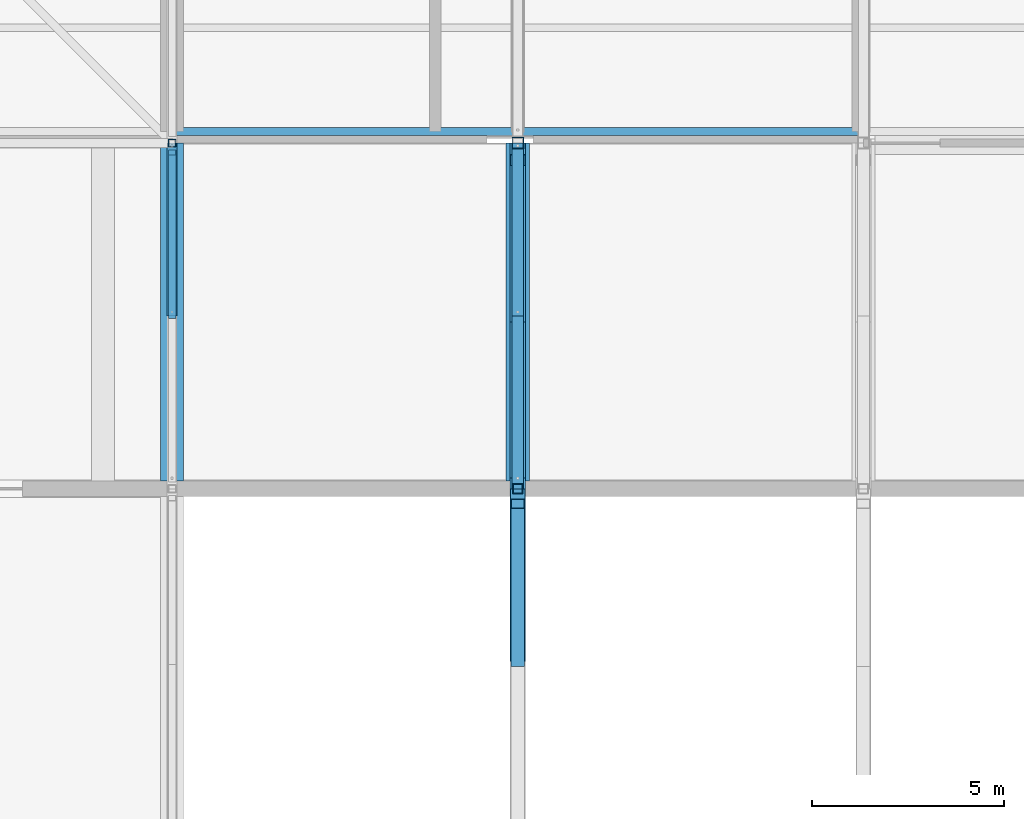
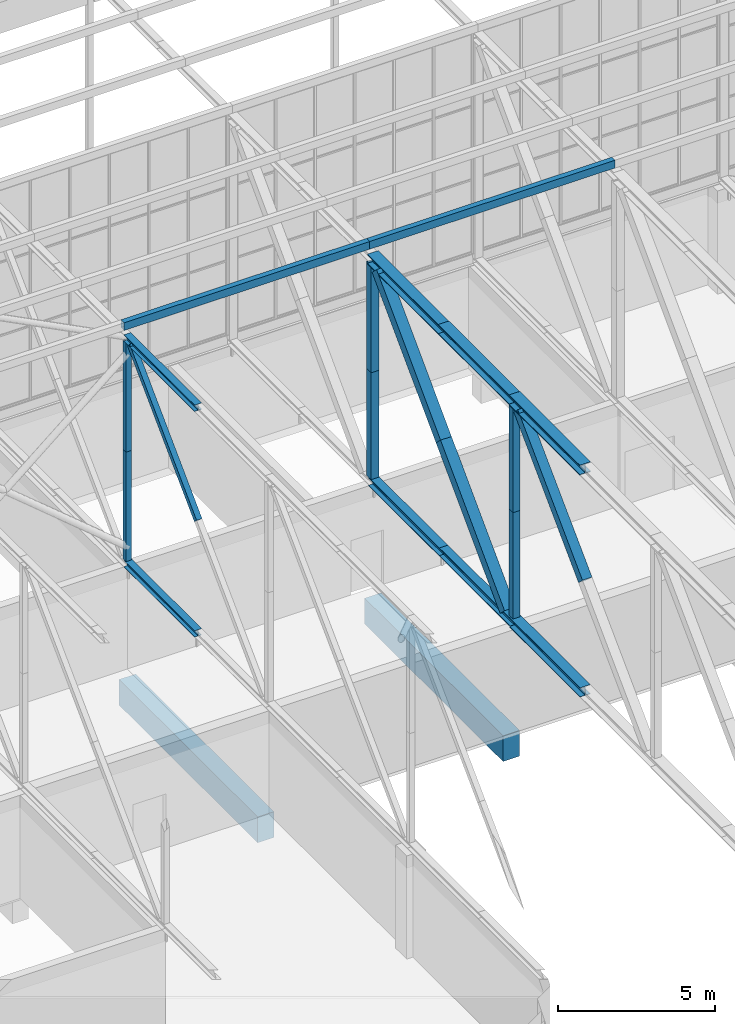
# One storey, part 68 of 646: 20 members, 2 beams.
"""IFC4 building model written with IfcOpenShell, lengths in metres."""

import ifcopenshell
import ifcopenshell.guid

model = None  # the IFC model being written
_history = None  # IfcOwnerHistory: only IFC2X3 demands one
_inside = {}  # id of a spatial element -> (the spatial element, [elements in it])
_under = {}  # id of a project, library or spatial element -> (it, [spatial elements below it])
_declared = {}  # id of a project -> (the project, [libraries it declares])
_typed = {}  # id of a type object -> (the type object, [elements of that type])
_made_of = {}  # id of a material, layer set ... -> (it, [elements and type objects made of it])


def new_model(schema):
    """Start an empty IFC model of exactly this schema.

    Asked for "IFC4X3", IfcOpenShell would pick the latest addendum, in which some entities
    have other attributes; the version numbers below select the first issue.
    IFC2X3 requires an IfcOwnerHistory on every rooted entity: one is made here for all.
    """
    global model, _history
    if schema == "IFC4X3":
        model = ifcopenshell.file(schema_version=(4, 3, 0, 0))
    else:
        model = ifcopenshell.file(schema=schema)
    _inside.clear()
    _under.clear()
    _declared.clear()
    _typed.clear()
    _made_of.clear()
    _history = None
    if model.schema == "IFC2X3":
        org = make("IfcOrganization", Name="unknown")
        user = make(
            "IfcPersonAndOrganization",
            ThePerson=make("IfcPerson", FamilyName="unknown"),
            TheOrganization=org,
        )
        app = make(
            "IfcApplication",
            ApplicationDeveloper=org,
            Version="unknown",
            ApplicationFullName="unknown",
            ApplicationIdentifier="unknown",
        )
        _history = make(
            "IfcOwnerHistory",
            OwningUser=user,
            OwningApplication=app,
            ChangeAction="ADDED",
            CreationDate=0,
        )
    return model


def make(cls, **values):
    """One entity of the class cls with the attributes given. An attribute that is None is left unset."""
    return model.create_entity(
        cls, **{name: value for name, value in values.items() if value is not None}
    )


def rooted(cls, **values):
    """An entity with a GlobalId (a new one), such as an element, a storey or a relation."""
    return make(cls, GlobalId=ifcopenshell.guid.new(), OwnerHistory=_history, **values)


def si_unit(unit_type, name, prefix=None):
    """IfcSIUnit, for example si_unit("LENGTHUNIT", "METRE", prefix="MILLI")."""
    return make("IfcSIUnit", UnitType=unit_type, Prefix=prefix, Name=name)


def assignment(units):
    """IfcUnitAssignment: the units of a project."""
    return None if units is None else make("IfcUnitAssignment", Units=units)


def point(xyz):
    """IfcCartesianPoint."""
    return None if xyz is None else make("IfcCartesianPoint", Coordinates=xyz)


def direction(xyz):
    """IfcDirection."""
    return None if xyz is None else make("IfcDirection", DirectionRatios=xyz)


def frame(location, z_axis=None, x_axis=None):
    """IfcAxis2Placement3D, a coordinate frame: its origin and axes. An axis left out is left unset."""
    return make(
        "IfcAxis2Placement3D",
        Location=point(location),
        Axis=direction(z_axis),
        RefDirection=direction(x_axis),
    )


def frame_2d(location, x_axis=None):
    """IfcAxis2Placement2D, a coordinate frame in the plane: its origin and x axis."""
    return make(
        "IfcAxis2Placement2D", Location=point(location), RefDirection=direction(x_axis)
    )


def origin():
    """The frame at (0, 0, 0) with its axes left unset."""
    return frame((0.0, 0.0, 0.0))


def origin_2d():
    """The frame at (0, 0) in the plane with its x axis left unset."""
    return frame_2d((0.0, 0.0))


def place(relative_to, where):
    """IfcLocalPlacement: puts the frame where relative to a parent placement (None: the world)."""
    return make(
        "IfcLocalPlacement", PlacementRelTo=relative_to, RelativePlacement=where
    )


def context(
    kind, dimensions, precision=None, world=None, true_north=None, identifier=None
):
    """IfcGeometricRepresentationContext, for example the 3D "Model" context."""
    return make(
        "IfcGeometricRepresentationContext",
        ContextIdentifier=identifier,
        ContextType=kind,
        CoordinateSpaceDimension=dimensions,
        Precision=precision,
        WorldCoordinateSystem=world,
        TrueNorth=true_north,
    )


def subcontext(parent, identifier, kind, view, scale=None):
    """IfcGeometricRepresentationSubContext, for example "Body" below "Model"."""
    return make(
        "IfcGeometricRepresentationSubContext",
        ContextIdentifier=identifier,
        ContextType=kind,
        ParentContext=parent,
        TargetScale=scale,
        TargetView=view,
    )


def project(units=None, contexts=None):
    """IfcProject with its units and contexts."""
    return rooted(
        "IfcProject",
        Name="project",
        RepresentationContexts=contexts,
        UnitsInContext=assignment(units),
    )


def spatial(cls, under=None, at=None, **own):
    """A site, building, storey or space (cls), placed at a placement, below another one or the project."""
    s = rooted(cls, ObjectPlacement=at, **own)
    if under is not None:
        _under.setdefault(under.id(), (under, []))[1].append(s)
    return s


def profile(cls, at=None, kind="AREA", **sizes):
    """A parametric profile (cls). Its sizes go by their IFC names, for example OverallWidth=200.0."""
    return make(cls, ProfileType=kind, Position=at, **sizes)


def rectangle(**sizes):
    """IfcRectangleProfileDef."""
    return profile("IfcRectangleProfileDef", **sizes)


def hollow_rectangle(**sizes):
    """IfcRectangleHollowProfileDef."""
    return profile("IfcRectangleHollowProfileDef", **sizes)


def i_section(**sizes):
    """IfcIShapeProfileDef."""
    return profile("IfcIShapeProfileDef", **sizes)


def extrude(swept, where, along, depth):
    """IfcExtrudedAreaSolid: the profile swept, set in the frame where, extruded along a direction by depth."""
    return make(
        "IfcExtrudedAreaSolid",
        SweptArea=swept,
        Position=where,
        ExtrudedDirection=direction(along),
        Depth=depth,
    )


def shape(context_of_items, identifier, shape_type, items):
    """IfcShapeRepresentation: the items that make up one representation, for example the "Body"."""
    return make(
        "IfcShapeRepresentation",
        ContextOfItems=context_of_items,
        RepresentationIdentifier=identifier,
        RepresentationType=shape_type,
        Items=items,
    )


def material(Name=None, Category=None):
    """IfcMaterial."""
    return make("IfcMaterial", Name=Name, Category=Category)


def material_profile(
    of_material, cross_section, Name=None, Category=None, Priority=None
):
    """IfcMaterialProfile: a cross section and its material."""
    return make(
        "IfcMaterialProfile",
        Name=Name,
        Material=of_material,
        Profile=cross_section,
        Priority=Priority,
        Category=Category,
    )


def profile_set(profiles, Name=None, composite=None):
    """IfcMaterialProfileSet."""
    return make(
        "IfcMaterialProfileSet",
        Name=Name,
        MaterialProfiles=profiles,
        CompositeProfile=composite,
    )


def made_of(thing, what):
    """Note that an element or type object is made of a material, layer set ...; save() writes the relation."""
    if what is not None:
        _made_of.setdefault(what.id(), (what, []))[1].append(thing)
    return thing


def type_object(cls, material=None, **own):
    """A type object (cls), such as IfcWallType, which elements share."""
    return made_of(rooted(cls, **own), material)


def element(
    cls,
    number,
    at=None,
    inside=None,
    cuts=None,
    type_object=None,
    material=None,
    context=None,
    identifier="Body",
    shape_type=None,
    held_by="IfcProductDefinitionShape",
    body=None,
    shapes=None,
    **own,
):
    """One element of the class cls, such as IfcWall. Its Tag is "e" and its number.

    at: its placement. inside: the storey or other place that contains it. cuts: it is an
    opening in that element (IfcRelVoidsElement). A single representation is given by context,
    identifier, shape_type and body (its items); several are given by shapes. held_by: the class
    of the entity that holds the representations. save() writes the other relations.
    """
    e = rooted(cls, Tag="e%d" % number, ObjectPlacement=at, **own)
    if body is not None:
        shapes = [shape(context, identifier, shape_type, body)]
    if shapes is not None:
        e.Representation = make(held_by, Representations=shapes)
    if inside is not None:
        _inside.setdefault(inside.id(), (inside, []))[1].append(e)
    if cuts is not None:
        rooted(
            "IfcRelVoidsElement", RelatingBuildingElement=cuts, RelatedOpeningElement=e
        )
    if type_object is not None:
        _typed.setdefault(type_object.id(), (type_object, []))[1].append(e)
    return made_of(e, material)


def aggregate(whole, parts):
    """IfcRelAggregates: a whole, such as a stair, and the parts it consists of."""
    return rooted("IfcRelAggregates", RelatingObject=whole, RelatedObjects=parts)


def save(model, path):
    """Write the relations noted so far, then the file.

    IfcRelAggregates (storeys below a building ...), IfcRelContainedInSpatialStructure (elements
    in a storey), IfcRelDefinesByType, IfcRelAssociatesMaterial and IfcRelDeclares: one each for
    every whole, place, type object, material and project.
    """
    for whole, parts in _under.values():
        aggregate(whole, parts)
    for where, things in _inside.values():
        rooted(
            "IfcRelContainedInSpatialStructure",
            RelatedElements=things,
            RelatingStructure=where,
        )
    for kind, things in _typed.values():
        rooted("IfcRelDefinesByType", RelatedObjects=things, RelatingType=kind)
    for what, things in _made_of.values():
        rooted("IfcRelAssociatesMaterial", RelatedObjects=things, RelatingMaterial=what)
    for by, libraries in _declared.values():
        rooted("IfcRelDeclares", RelatingContext=by, RelatedDefinitions=libraries)
    model.write(path)


model = new_model("IFC4")

# Units and contexts
model_context = context("Model", 3, precision=1e-05, world=origin(), true_north=direction((0.0, 1.0)))
body_context = subcontext(model_context, "Body", "Model", "MODEL_VIEW")
ifc_project = project(units=[si_unit("LENGTHUNIT", "METRE"), si_unit("AREAUNIT", "SQUARE_METRE"), si_unit("VOLUMEUNIT", "CUBIC_METRE"), si_unit("PLANEANGLEUNIT", "RADIAN"), si_unit("MASSUNIT", "GRAM", prefix="KILO")], contexts=[model_context])

# Site, building, storey
site_placement = place(None, origin())
site = spatial("IfcSite", under=ifc_project, at=site_placement, CompositionType="ELEMENT")
building_placement = place(site_placement, origin())
building = spatial("IfcBuilding", under=site, at=building_placement, Name="Silverbay Arena", CompositionType="ELEMENT")
storey_placement = place(building_placement, frame((0.0, 0.0, 33.5)))
storey = spatial("IfcBuildingStorey", under=building, at=storey_placement, Name="L05", CompositionType="ELEMENT", Elevation=33.5)

# Members
ifc_material_1 = material(Name="Steel S355", Category="steel")
ifc_material_profile_1 = material_profile(ifc_material_1, i_section(OverallWidth=0.311279296875, OverallDepth=0.3271484375, WebThickness=0.015869140625, FlangeThickness=0.02490234375, at=origin_2d()), Name="UC 305x305x158")
ifc_profile_set_1 = profile_set([ifc_material_profile_1], Name="Steel S355")
member_type_1 = type_object("IfcMemberType", Name="Main-span bottom chord UC 305x305x158", PredefinedType="CHORD", material=ifc_profile_set_1)
for number, where, z_axis, x_axis, name in (
    (1, (108.0, 126.0, 4.16357421875), (0.0, 1.0, 0.0), (-1.0, 0.0, 0.0), "ROOF TRUSS 13 bottom chord 14a"),
    (2, (108.0, 130.5, 4.16357421875), (0.0, 1.0, 0.0), (-1.0, 0.0, 0.0), "ROOF TRUSS 13 bottom chord 14b"),
):
    element("IfcMember", number, at=place(storey_placement, frame(where, z_axis=z_axis, x_axis=x_axis)), inside=storey, type_object=member_type_1, Name=name, PredefinedType="CHORD", context=body_context, shape_type="SweptSolid", body=[
        extrude(i_section(OverallWidth=0.311279296875, OverallDepth=0.3271484375, WebThickness=0.015869140625, FlangeThickness=0.02490234375, at=origin_2d()), origin(), (0.0, 0.0, 1.0), 4.5),
    ])
ifc_material_2 = material(Name="Steel S355", Category="steel")
ifc_material_profile_2 = material_profile(ifc_material_2, i_section(OverallWidth=0.37255859375, OverallDepth=0.3681640625, WebThickness=0.014404296875, FlangeThickness=0.023681640625, at=origin_2d()), Name="UC 356x368x177")
ifc_profile_set_2 = profile_set([ifc_material_profile_2], Name="Steel S355")
member_type_2 = type_object("IfcMemberType", Name="Main-span bottom chord UC 356x368x177", PredefinedType="CHORD", material=ifc_profile_set_2)
member_1_placement = place(storey_placement, frame((108.0, 121.5, 4.18408203125), z_axis=(0.0, 1.0, 0.0), x_axis=(-1.0, 0.0, 0.0)))
element("IfcMember", 3, at=member_1_placement, inside=storey, type_object=member_type_2, Name="ROOF TRUSS 13 bottom chord 13b", PredefinedType="CHORD", context=body_context, shape_type="SweptSolid", body=[
    extrude(i_section(OverallWidth=0.37255859375, OverallDepth=0.3681640625, WebThickness=0.014404296875, FlangeThickness=0.023681640625, at=origin_2d()), origin(), (0.0, 0.0, 1.0), 4.5),
])
ifc_material_3 = material(Name="Steel S355", Category="steel")
ifc_material_profile_3 = material_profile(ifc_material_3, i_section(OverallWidth=0.394775390625, OverallDepth=0.381103515625, WebThickness=0.018310546875, FlangeThickness=0.0302734375, at=origin_2d()), Name="UC 356x406x235")
ifc_profile_set_3 = profile_set([ifc_material_profile_3], Name="Steel S355")
member_type_3 = type_object("IfcMemberType", Name="Main-span top chord UC 356x406x235", PredefinedType="CHORD", material=ifc_profile_set_3)
for number, where, z_axis, x_axis, name in (
    (4, (108.0, 126.0, 12.8095703125), (0.0, 1.0, 0.0), (-1.0, 0.0, 0.0), "ROOF TRUSS 13 top chord 14a"),
    (5, (108.0, 130.5, 12.8095703125), (0.0, 1.0, 0.0), (-1.0, 0.0, 0.0), "ROOF TRUSS 13 top chord 14b"),
):
    element("IfcMember", number, at=place(storey_placement, frame(where, z_axis=z_axis, x_axis=x_axis)), inside=storey, type_object=member_type_3, Name=name, PredefinedType="CHORD", context=body_context, shape_type="SweptSolid", body=[
        extrude(i_section(OverallWidth=0.394775390625, OverallDepth=0.381103515625, WebThickness=0.018310546875, FlangeThickness=0.0302734375, at=origin_2d()), origin(), (0.0, 0.0, 1.0), 4.5),
    ])
ifc_material_4 = material(Name="Steel S355", Category="steel")
ifc_material_profile_4 = material_profile(ifc_material_4, i_section(OverallWidth=0.39892578125, OverallDepth=0.3935546875, WebThickness=0.022705078125, FlangeThickness=0.03662109375, at=origin_2d()), Name="UC 356x406x287")
ifc_profile_set_4 = profile_set([ifc_material_profile_4], Name="Steel S355")
member_type_4 = type_object("IfcMemberType", Name="Main-span top chord UC 356x406x287", PredefinedType="CHORD", material=ifc_profile_set_4)
member_2_placement = place(storey_placement, frame((108.0, 121.5, 12.80322265625), z_axis=(0.0, 1.0, 0.0), x_axis=(-1.0, 0.0, 0.0)))
element("IfcMember", 6, at=member_2_placement, inside=storey, type_object=member_type_4, Name="ROOF TRUSS 13 top chord 13b", PredefinedType="CHORD", context=body_context, shape_type="SweptSolid", body=[
    extrude(i_section(OverallWidth=0.39892578125, OverallDepth=0.3935546875, WebThickness=0.022705078125, FlangeThickness=0.03662109375, at=origin_2d()), origin(), (0.0, 0.0, 1.0), 4.5),
])
ifc_material_5 = material(Name="Steel S355", Category="steel")
ifc_material_profile_5 = material_profile(ifc_material_5, hollow_rectangle(XDim=0.35009765625, YDim=0.35009765625, WallThickness=0.01416015625, at=origin_2d()), Name="SHS 350x350x14.2")
ifc_profile_set_5 = profile_set([ifc_material_profile_5], Name="Steel S355")
member_type_5 = type_object("IfcMemberType", Name="Main-span truss diagonal SHS 350x350x14.2", PredefinedType="BRACE", material=ifc_profile_set_5)
member_3_placement = place(storey_placement, frame((108.0, 125.61083984375, 12.6064453125), z_axis=(0.0, -0.706393232016, -0.707819611033), x_axis=(1.0, 0.0, 0.0)))
element("IfcMember", 7, at=member_3_placement, inside=storey, type_object=member_type_5, Name="ROOF TRUSS 13 diagonal 13a", PredefinedType="BRACE", context=body_context, shape_type="SweptSolid", body=[
    extrude(hollow_rectangle(XDim=0.35009765625, YDim=0.35009765625, WallThickness=0.01416015625, at=origin_2d()), origin(), (0.0, 0.0, 1.0), 5.819580078125),
])
ifc_material_6 = material(Name="Steel S355", Category="steel")
ifc_material_profile_6 = material_profile(ifc_material_6, hollow_rectangle(XDim=0.39990234375, YDim=0.39990234375, WallThickness=0.01416015625, at=origin_2d()), Name="SHS 400x400x14.2")
ifc_profile_set_6 = profile_set([ifc_material_profile_6], Name="Steel S355")
member_type_6 = type_object("IfcMemberType", Name="Main-span truss diagonal SHS 400x400x14.2", PredefinedType="BRACE", material=ifc_profile_set_6)
member_4_placement = place(storey_placement, frame((108.0, 134.554931640625, 12.618896484375), z_axis=(0.0, -0.700113450325, -0.71403162162), x_axis=(1.0, 0.0, 0.0)))
element("IfcMember", 8, at=member_4_placement, inside=storey, type_object=member_type_6, Name="ROOF TRUSS 13 diagonal 14a", PredefinedType="BRACE", context=body_context, shape_type="SweptSolid", body=[
    extrude(hollow_rectangle(XDim=0.39990234375, YDim=0.39990234375, WallThickness=0.01416015625, at=origin_2d()), origin(), (0.0, 0.0, 1.0), 5.80615234375),
])
member_5_placement = place(storey_placement, frame((108.0, 130.489990234375, 8.47314453125), z_axis=(0.0, -0.700092430298, -0.714052231311), x_axis=(1.0, 0.0, 0.0)))
element("IfcMember", 9, at=member_5_placement, inside=storey, type_object=member_type_6, Name="ROOF TRUSS 13 diagonal 14b", PredefinedType="BRACE", context=body_context, shape_type="SweptSolid", body=[
    extrude(hollow_rectangle(XDim=0.39990234375, YDim=0.39990234375, WallThickness=0.01416015625, at=origin_2d()), origin(), (0.0, 0.0, 1.0), 5.806396484375),
])
ifc_material_7 = material(Name="Steel S355", Category="steel")
ifc_material_profile_7 = material_profile(ifc_material_7, hollow_rectangle(XDim=0.260009765625, YDim=0.260009765625, WallThickness=0.012451171875, at=origin_2d()), Name="SHS 260x260x12.5")
ifc_profile_set_7 = profile_set([ifc_material_profile_7], Name="Steel S355")
member_type_7 = type_object("IfcMemberType", Name="Main-span truss vertical SHS 260x260x12.5", PredefinedType="STRUT", material=ifc_profile_set_7)
for number, where, z_axis, x_axis, name in (
    (10, (108.0, 126.0, 4.3681640625), (0.0, 0.0, 1.0), (1.0, 0.0, 0.0), "ROOF TRUSS 13 vertical 14a"),
    (11, (108.0, 126.0, 8.4873046875), (0.0, 0.0, 1.0), (1.0, 0.0, 0.0), "ROOF TRUSS 13 vertical 14b"),
):
    element("IfcMember", number, at=place(storey_placement, frame(where, z_axis=z_axis, x_axis=x_axis)), inside=storey, type_object=member_type_7, Name=name, PredefinedType="STRUT", context=body_context, shape_type="SweptSolid", body=[
        extrude(hollow_rectangle(XDim=0.260009765625, YDim=0.260009765625, WallThickness=0.012451171875, at=origin_2d()), origin(), (0.0, 0.0, 1.0), 4.119140625),
    ])
ifc_material_8 = material(Name="Steel S355", Category="steel")
ifc_material_profile_8 = material_profile(ifc_material_8, hollow_rectangle(XDim=0.300048828125, YDim=0.300048828125, WallThickness=0.012451171875, at=origin_2d()), Name="SHS 300x300x12.5")
ifc_profile_set_8 = profile_set([ifc_material_profile_8], Name="Steel S355")
member_type_8 = type_object("IfcMemberType", Name="Main-span truss vertical SHS 300x300x12.5", PredefinedType="STRUT", material=ifc_profile_set_8)
member_6_placement = place(storey_placement, frame((108.0, 135.0, 4.3271484375), z_axis=(0.0, 0.0, 1.0), x_axis=(1.0, 0.0, 0.0)))
element("IfcMember", 12, at=member_6_placement, inside=storey, type_object=member_type_8, Name="ROOF TRUSS 13 vertical 15a", PredefinedType="STRUT", context=body_context, shape_type="SweptSolid", body=[
    extrude(hollow_rectangle(XDim=0.300048828125, YDim=0.300048828125, WallThickness=0.012451171875, at=origin_2d()), origin(), (0.0, 0.0, 1.0), 4.14599609375),
])
member_7_placement = place(storey_placement, frame((108.0, 135.0, 8.47314453125), z_axis=(0.0, 0.0, 1.0), x_axis=(1.0, 0.0, 0.0)))
element("IfcMember", 13, at=member_7_placement, inside=storey, type_object=member_type_8, Name="ROOF TRUSS 13 vertical 15b", PredefinedType="STRUT", context=body_context, shape_type="SweptSolid", body=[
    extrude(hollow_rectangle(XDim=0.300048828125, YDim=0.300048828125, WallThickness=0.012451171875, at=origin_2d()), origin(), (0.0, 0.0, 1.0), 4.145751953125),
])
ifc_material_9 = material(Name="Steel S355", Category="steel")
ifc_material_profile_9 = material_profile(ifc_material_9, i_section(OverallWidth=0.254638671875, OverallDepth=0.254150390625, WebThickness=0.008544921875, FlangeThickness=0.01416015625, at=origin_2d()), Name="UC 254x254x73")
ifc_profile_set_9 = profile_set([ifc_material_profile_9], Name="Steel S355")
member_type_9 = type_object("IfcMemberType", Name="Medium-span bottom chord UC 254x254x73", PredefinedType="CHORD", material=ifc_profile_set_9)
member_8_placement = place(storey_placement, frame((99.0, 130.5, 4.126953125), z_axis=(0.0, 1.0, 0.0), x_axis=(-1.0, 0.0, 0.0)))
element("IfcMember", 14, at=member_8_placement, inside=storey, type_object=member_type_9, Name="ROOF TRUSS 12 bottom chord 14b", PredefinedType="CHORD", context=body_context, shape_type="SweptSolid", body=[
    extrude(i_section(OverallWidth=0.254638671875, OverallDepth=0.254150390625, WebThickness=0.008544921875, FlangeThickness=0.01416015625, at=origin_2d()), origin(), (0.0, 0.0, 1.0), 4.5),
])
ifc_material_10 = material(Name="Steel S355", Category="steel")
ifc_material_profile_10 = material_profile(ifc_material_10, i_section(OverallWidth=0.254638671875, OverallDepth=0.254150390625, WebThickness=0.008544921875, FlangeThickness=0.01416015625, at=origin_2d()), Name="UC 254x254x73")
ifc_profile_set_10 = profile_set([ifc_material_profile_10], Name="Steel S355")
member_type_10 = type_object("IfcMemberType", Name="Medium-span top chord UC 254x254x73", PredefinedType="CHORD", material=ifc_profile_set_10)
member_9_placement = place(storey_placement, frame((99.0, 130.5, 12.873046875), z_axis=(0.0, 1.0, 0.0), x_axis=(-1.0, 0.0, 0.0)))
element("IfcMember", 15, at=member_9_placement, inside=storey, type_object=member_type_10, Name="ROOF TRUSS 12 top chord 14b", PredefinedType="CHORD", context=body_context, shape_type="SweptSolid", body=[
    extrude(i_section(OverallWidth=0.254638671875, OverallDepth=0.254150390625, WebThickness=0.008544921875, FlangeThickness=0.01416015625, at=origin_2d()), origin(), (0.0, 0.0, 1.0), 4.5),
])
ifc_material_11 = material(Name="Steel S355", Category="steel")
ifc_material_profile_11 = material_profile(ifc_material_11, hollow_rectangle(XDim=0.199951171875, YDim=0.199951171875, WallThickness=0.008056640625, at=origin_2d()), Name="SHS 200x200x8")
ifc_profile_set_11 = profile_set([ifc_material_profile_11], Name="Steel S355")
member_type_11 = type_object("IfcMemberType", Name="Medium-span truss diagonal SHS 200x200x8", PredefinedType="BRACE", material=ifc_profile_set_11)
member_10_placement = place(storey_placement, frame((99.0, 134.75439453125, 12.745849609375), z_axis=(0.0, -0.70781724692, -0.706395600894), x_axis=(1.0, 0.0, 0.0)))
element("IfcMember", 16, at=member_10_placement, inside=storey, type_object=member_type_11, Name="ROOF TRUSS 12 diagonal 14a", PredefinedType="BRACE", context=body_context, shape_type="SweptSolid", body=[
    extrude(hollow_rectangle(XDim=0.199951171875, YDim=0.199951171875, WallThickness=0.008056640625, at=origin_2d()), origin(), (0.0, 0.0, 1.0), 6.010498046875),
])
ifc_material_12 = material(Name="Steel S355", Category="steel")
ifc_material_profile_12 = material_profile(ifc_material_12, hollow_rectangle(XDim=0.199951171875, YDim=0.199951171875, WallThickness=0.008056640625, at=origin_2d()), Name="SHS 200x200x8")
ifc_profile_set_12 = profile_set([ifc_material_profile_12], Name="Steel S355")
member_type_12 = type_object("IfcMemberType", Name="Medium-span truss vertical SHS 200x200x8", PredefinedType="STRUT", material=ifc_profile_set_12)
for number, where, z_axis, x_axis, name in (
    (17, (99.0, 135.0, 4.254150390625), (0.0, 0.0, 1.0), (1.0, 0.0, 0.0), "ROOF TRUSS 12 vertical 15a"),
    (18, (99.0, 135.0, 8.5), (0.0, 0.0, 1.0), (1.0, 0.0, 0.0), "ROOF TRUSS 12 vertical 15b"),
):
    element("IfcMember", number, at=place(storey_placement, frame(where, z_axis=z_axis, x_axis=x_axis)), inside=storey, type_object=member_type_12, Name=name, PredefinedType="STRUT", context=body_context, shape_type="SweptSolid", body=[
        extrude(hollow_rectangle(XDim=0.199951171875, YDim=0.199951171875, WallThickness=0.008056640625, at=origin_2d()), origin(), (0.0, 0.0, 1.0), 4.245849609375),
    ])
ifc_material_13 = material(Name="Steel S355", Category="steel")
ifc_material_profile_13 = material_profile(ifc_material_13, hollow_rectangle(XDim=0.199951171875, YDim=0.300048828125, WallThickness=0.00634765625, at=origin_2d()), Name="RHS 300x200x6.3")
ifc_profile_set_13 = profile_set([ifc_material_profile_13], Name="Steel S355")
member_type_13 = type_object("IfcMemberType", Name="Purlin RHS 300x200x6.3", PredefinedType="PURLIN", material=ifc_profile_set_13)
for number, where, z_axis, x_axis, name in (
    (19, (99.0, 135.300048828125, 13.14990234375), (1.0, 0.0, 0.0), (0.0, 1.0, 0.0), "ROOF PURLIN crown rim north 12-13"),
    (20, (108.0, 135.300048828125, 13.14990234375), (1.0, 0.0, 0.0), (0.0, 1.0, 0.0), "ROOF PURLIN crown rim north 13-14"),
):
    element("IfcMember", number, at=place(storey_placement, frame(where, z_axis=z_axis, x_axis=x_axis)), inside=storey, type_object=member_type_13, Name=name, PredefinedType="PURLIN", context=body_context, shape_type="SweptSolid", body=[
        extrude(hollow_rectangle(XDim=0.199951171875, YDim=0.300048828125, WallThickness=0.00634765625, at=origin_2d()), origin(), (0.0, 0.0, 1.0), 9.0),
    ])

# Beams
ifc_material_14 = material(Name="Concrete Grade C45", Category="concrete")
ifc_material_profile_14 = material_profile(ifc_material_14, rectangle(XDim=0.60009765625, YDim=1.0, at=origin_2d()), Name="RC 600x1000")
ifc_profile_set_14 = profile_set([ifc_material_profile_14], Name="Concrete Grade C45")
beam_type = type_object("IfcBeamType", Name="RC beam 600x1000", PredefinedType="BEAM", material=ifc_profile_set_14)
for number, where, z_axis, x_axis, name in (
    (21, (99.0, 126.199951171875, -0.800048828125), (0.0, 1.0, 0.0), (-1.0, 0.0, 0.0), "Floor beam L05 104"),
    (22, (108.0, 126.199951171875, -0.800048828125), (0.0, 1.0, 0.0), (-1.0, 0.0, 0.0), "Floor beam L05 106"),
):
    element("IfcBeam", number, at=place(storey_placement, frame(where, z_axis=z_axis, x_axis=x_axis)), inside=storey, type_object=beam_type, Name=name, PredefinedType="BEAM", context=body_context, shape_type="SweptSolid", body=[
        extrude(rectangle(XDim=0.60009765625, YDim=1.0, at=origin_2d()), origin(), (0.0, 0.0, 1.0), 8.800048828125),
    ])

save(model, "model.ifc")
